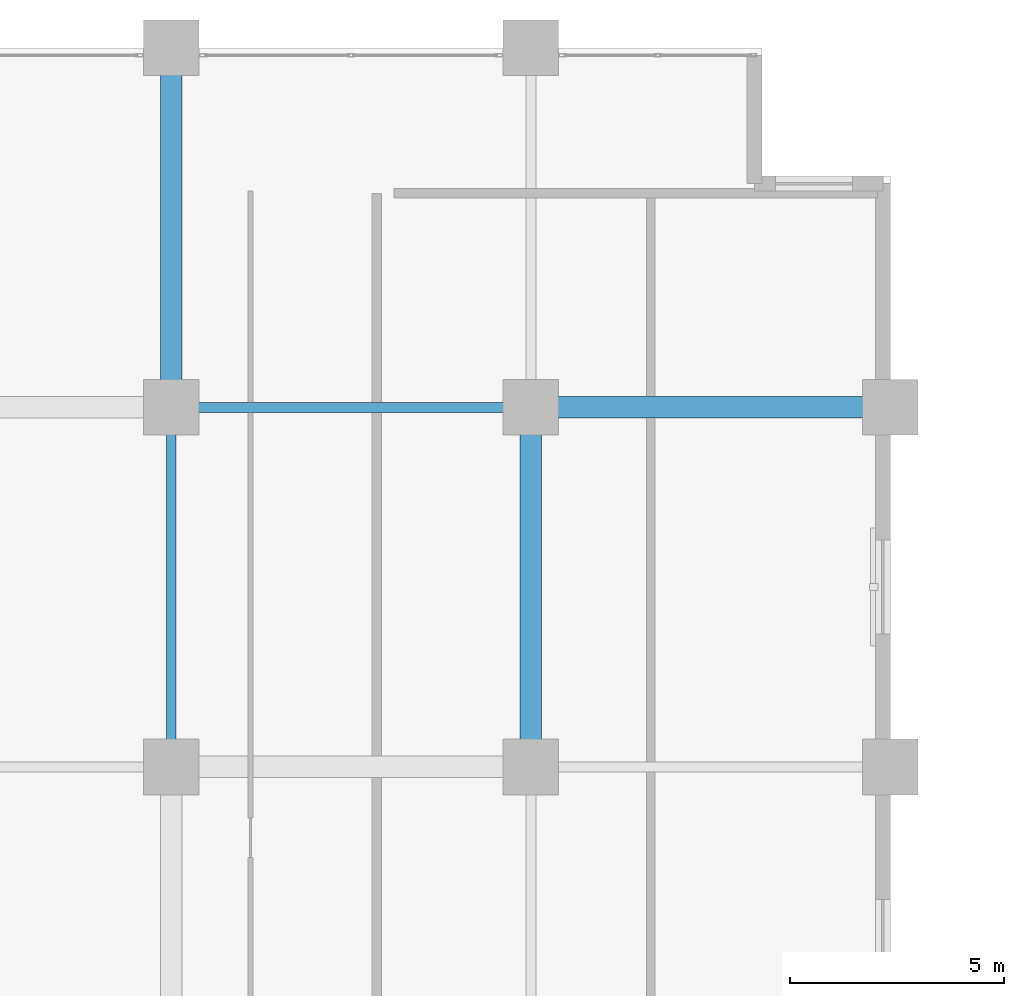
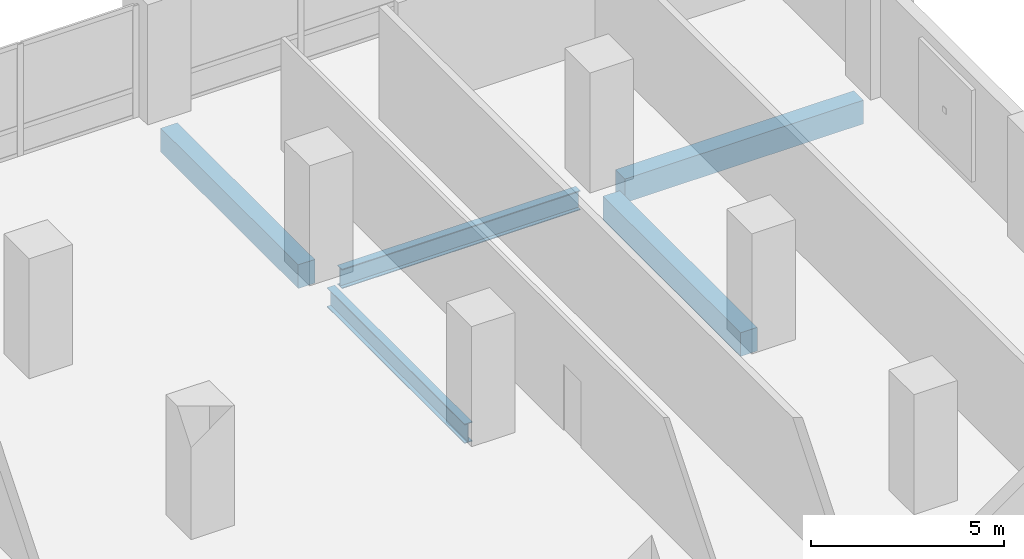
# One storey, part 4 of 21: 5 beams.
"""IFC4 building model written with IfcOpenShell, lengths in metres."""

from ifc_helpers import new_model, si_unit, direction, frame, origin, origin_2d, place, context, subcontext, project, spatial, rectangle, i_section, extrude, material, material_profile, profile_set, type_object, element, save


model = new_model("IFC4")

# Units and contexts
model_context = context("Model", 3, precision=1e-05, world=origin(), true_north=direction((0.0, 1.0)))
body_context = subcontext(model_context, "Body", "Model", "MODEL_VIEW")
ifc_project = project(units=[si_unit("LENGTHUNIT", "METRE"), si_unit("AREAUNIT", "SQUARE_METRE"), si_unit("VOLUMEUNIT", "CUBIC_METRE"), si_unit("PLANEANGLEUNIT", "RADIAN"), si_unit("MASSUNIT", "GRAM", prefix="KILO")], contexts=[model_context])

# Site, building, storey
site_placement = place(None, origin())
site = spatial("IfcSite", under=ifc_project, at=site_placement, CompositionType="ELEMENT")
building_placement = place(site_placement, origin())
building = spatial("IfcBuilding", under=site, at=building_placement, Name="Koriwani Terraces Tower", CompositionType="ELEMENT")
storey_placement = place(building_placement, frame((0.0, 0.0, 111.39990234375)))
storey = spatial("IfcBuildingStorey", under=building, at=storey_placement, Name="L26", CompositionType="ELEMENT", Elevation=111.39990234375)

# Beams
ifc_material_1 = material(Name="Concrete C50/60", Category="concrete")
ifc_material_profile_1 = material_profile(ifc_material_1, rectangle(XDim=0.5, YDim=0.75, at=origin_2d()), Name="Concrete C50/60", Category="LoadBearing")
ifc_profile_set_1 = profile_set([ifc_material_profile_1], Name="Concrete C50/60")
beam_type_1 = type_object("IfcBeamType", Name="BEAM_RC_GRID_500X750", PredefinedType="BEAM", material=ifc_profile_set_1)
beam_placement = place(storey_placement, frame((25.830078125, 84.0, -0.625), z_axis=(1.0, 0.0, 0.0), x_axis=(0.0, 1.0, 0.0)))
element("IfcBeam", 1, at=beam_placement, inside=storey, type_object=beam_type_1, Name="L26 Grid Beam K (25.2-33.6m)", PredefinedType="BEAM", context=body_context, shape_type="SweptSolid", body=[
    extrude(rectangle(XDim=0.5, YDim=0.75, at=origin_2d()), origin(), (0.0, 0.0, 1.0), 7.139892578125),
])
for number, where, z_axis, x_axis, name in (
    (2, (16.800048828125, 84.6298828125, -0.625), (0.0, 1.0, 0.0), (-1.0, 0.0, 0.0), "L26 Grid Beam 3 (84.0-92.4m)"),
    (3, (25.199951171875, 76.22998046875, -0.625), (0.0, 1.0, 0.0), (-1.0, 0.0, 0.0), "L26 Grid Beam 4 (75.6-84.0m)"),
):
    element("IfcBeam", number, at=place(storey_placement, frame(where, z_axis=z_axis, x_axis=x_axis)), inside=storey, type_object=beam_type_1, Name=name, PredefinedType="BEAM", context=body_context, shape_type="SweptSolid", body=[
        extrude(rectangle(XDim=0.5, YDim=0.75, at=origin_2d()), origin(), (0.0, 0.0, 1.0), 7.14013671875),
    ])
ifc_material_2 = material(Name="Steel ASTM A572 Grade 50", Category="steel")
ifc_material_profile_2 = material_profile(ifc_material_2, i_section(OverallWidth=0.23095703125, OverallDepth=0.616943359375, WebThickness=0.015380859375, FlangeThickness=0.0244140625, at=origin_2d()), Name="Steel ASTM A572 Grade 50", Category="LoadBearing")
ifc_profile_set_2 = profile_set([ifc_material_profile_2], Name="Steel ASTM A572 Grade 50")
beam_type_2 = type_object("IfcBeamType", Name="STEEL_BEAM_W610X195", PredefinedType="BEAM", material=ifc_profile_set_2)
for number, where, z_axis, x_axis, name in (
    (4, (17.429931640625, 84.0, -0.558349609375), (1.0, 0.0, 0.0), (0.0, 1.0, 0.0), "L26 Grid Beam K (16.8-25.2m)"),
    (5, (16.800048828125, 76.22998046875, -0.558349609375), (0.0, 1.0, 0.0), (-1.0, 0.0, 0.0), "L26 Grid Beam 3 (75.6-84.0m)"),
):
    element("IfcBeam", number, at=place(storey_placement, frame(where, z_axis=z_axis, x_axis=x_axis)), inside=storey, type_object=beam_type_2, Name=name, PredefinedType="BEAM", context=body_context, shape_type="SweptSolid", body=[
        extrude(i_section(OverallWidth=0.23095703125, OverallDepth=0.616943359375, WebThickness=0.015380859375, FlangeThickness=0.0244140625, at=origin_2d()), origin(), (0.0, 0.0, 1.0), 7.14013671875),
    ])

save(model, "model.ifc")
